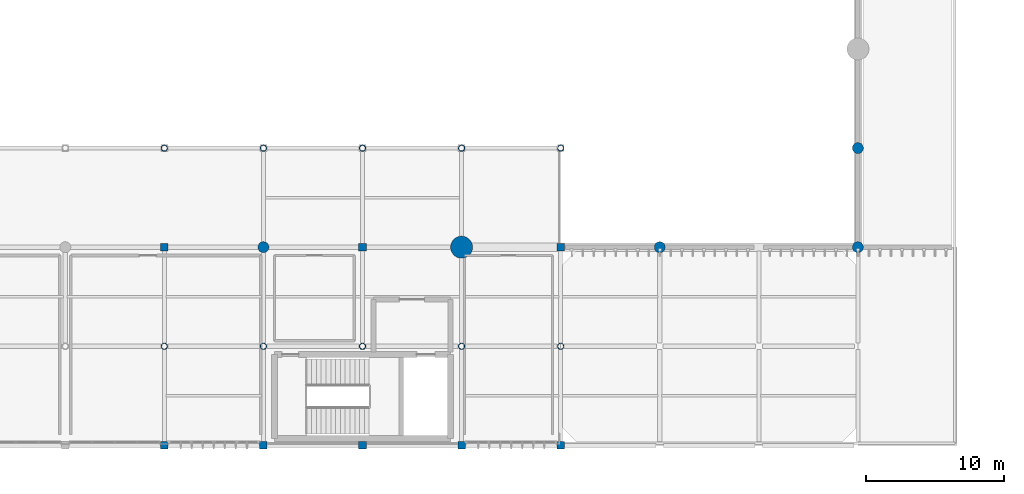
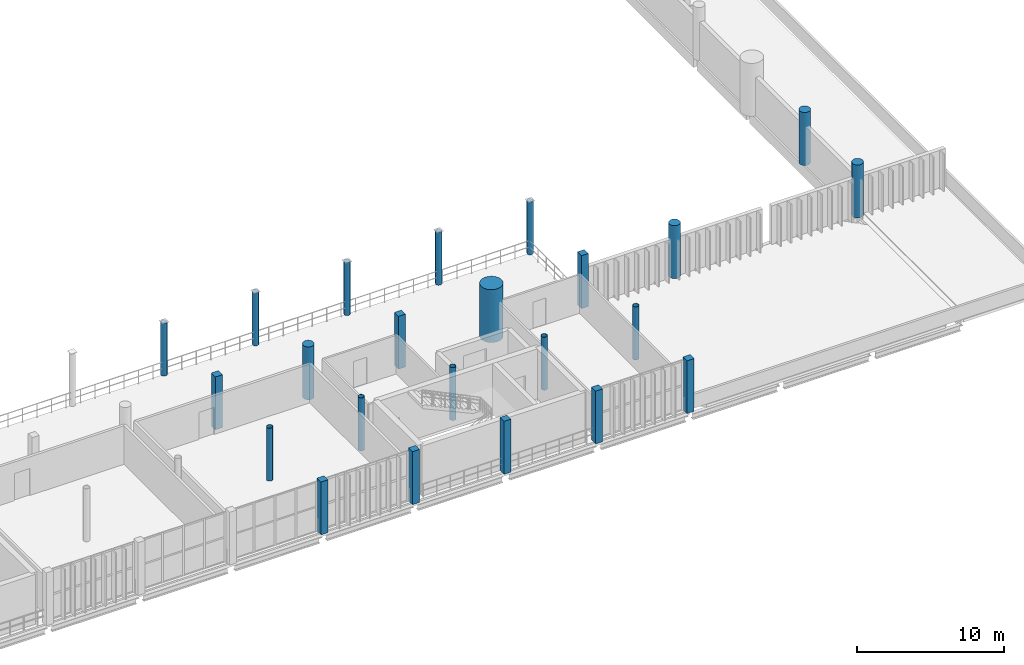
# One storey, part 4 of 81: 23 columns.
"""IFC4 building model written with IfcOpenShell, lengths in metres."""

from ifc_helpers import new_model, si_unit, direction, frame, origin, origin_2d, place, context, subcontext, project, spatial, rectangle, circle, hollow_circle, extrude, material, material_profile, profile_set, type_object, element, save


model = new_model("IFC4")

# Units and contexts
model_context = context("Model", 3, precision=1e-05, world=origin(), true_north=direction((0.0, 1.0)))
body_context = subcontext(model_context, "Body", "Model", "MODEL_VIEW")
ifc_project = project(units=[si_unit("LENGTHUNIT", "METRE"), si_unit("AREAUNIT", "SQUARE_METRE"), si_unit("VOLUMEUNIT", "CUBIC_METRE"), si_unit("PLANEANGLEUNIT", "RADIAN"), si_unit("MASSUNIT", "GRAM", prefix="KILO")], contexts=[model_context])

# Site, building, storey
site_placement = place(None, origin())
site = spatial("IfcSite", under=ifc_project, at=site_placement, CompositionType="ELEMENT")
building_placement = place(site_placement, origin())
building = spatial("IfcBuilding", under=site, at=building_placement, Name="Qandorah Velis Arena", CompositionType="ELEMENT")
storey_placement = place(building_placement, frame((0.0, 0.0, 18.60009765625)))
storey = spatial("IfcBuildingStorey", under=building, at=storey_placement, Name="L04", CompositionType="ELEMENT", Elevation=18.60009765625)

# Columns
ifc_material_1 = material(Name="Steel S355", Category="steel")
ifc_material_profile_1 = material_profile(ifc_material_1, hollow_circle(Radius=0.228515625, WallThickness=0.02001953125, at=origin_2d()), Name="CHS 457x20")
ifc_profile_set_1 = profile_set([ifc_material_profile_1], Name="Steel S355")
column_type_1 = type_object("IfcColumnType", Name="STR-COL-CHS457", PredefinedType="COLUMN", material=ifc_profile_set_1)
for number, where, z_axis, x_axis, name in (
    (1, (64.800048828125, 7.199951171875, 0.0), (0.0, 0.0, 1.0), (1.0, 0.0, 0.0), "Structural column L04-097"),
    (2, (64.800048828125, 21.60009765625, 0.0), (0.0, 0.0, 1.0), (1.0, 0.0, 0.0), "Structural column L04-099"),
    (3, (72.0, 7.199951171875, 0.0), (0.0, 0.0, 1.0), (1.0, 0.0, 0.0), "Structural column L04-105"),
    (4, (72.0, 21.60009765625, 0.0), (0.0, 0.0, 1.0), (1.0, 0.0, 0.0), "Structural column L04-107"),
    (5, (79.199951171875, 7.199951171875, 0.0), (0.0, 0.0, 1.0), (1.0, 0.0, 0.0), "Structural column L04-113"),
    (6, (79.199951171875, 21.60009765625, 0.0), (0.0, 0.0, 1.0), (1.0, 0.0, 0.0), "Structural column L04-115"),
    (7, (86.39990234375, 7.199951171875, 0.0), (0.0, 0.0, 1.0), (1.0, 0.0, 0.0), "Structural column L04-121"),
    (8, (86.39990234375, 21.60009765625, 0.0), (0.0, 0.0, 1.0), (1.0, 0.0, 0.0), "Structural column L04-123"),
    (9, (93.60009765625, 7.199951171875, 0.0), (0.0, 0.0, 1.0), (1.0, 0.0, 0.0), "Structural column L04-129"),
    (10, (93.60009765625, 21.60009765625, 0.0), (0.0, 0.0, 1.0), (1.0, 0.0, 0.0), "Structural column L04-131"),
):
    element("IfcColumn", number, at=place(storey_placement, frame(where, z_axis=z_axis, x_axis=x_axis)), inside=storey, type_object=column_type_1, Name=name, PredefinedType="COLUMN", context=body_context, shape_type="SweptSolid", body=[
        extrude(hollow_circle(Radius=0.228515625, WallThickness=0.02001953125, at=origin_2d()), origin(), (0.0, 0.0, 1.0), 4.39990234375),
    ])
ifc_material_2 = material(Name="Concrete C50/60", Category="concrete")
ifc_material_profile_2 = material_profile(ifc_material_2, circle(Radius=0.800048828125, at=origin_2d()), Name="MC D1600")
ifc_profile_set_2 = profile_set([ifc_material_profile_2], Name="Concrete C50/60")
column_type_2 = type_object("IfcColumnType", Name="STR-COL-MC1600", PredefinedType="COLUMN", material=ifc_profile_set_2)
column_placement = place(storey_placement, frame((86.39990234375, 14.39990234375, 0.0), z_axis=(0.0, 0.0, 1.0), x_axis=(1.0, 0.0, 0.0)))
element("IfcColumn", 11, at=column_placement, inside=storey, type_object=column_type_2, Name="Mega column MC5 (L04)", PredefinedType="COLUMN", context=body_context, shape_type="SweptSolid", body=[
    extrude(circle(Radius=0.800048828125, at=origin_2d()), origin(), (0.0, 0.0, 1.0), 4.39990234375),
])
ifc_material_3 = material(Name="Concrete C40/50", Category="concrete")
ifc_material_profile_3 = material_profile(ifc_material_3, rectangle(XDim=0.550048828125, YDim=0.550048828125, at=origin_2d()), Name="RC COL 550x550")
ifc_profile_set_3 = profile_set([ifc_material_profile_3], Name="Concrete C40/50")
column_type_3 = type_object("IfcColumnType", Name="STR-COL-RC550", PredefinedType="COLUMN", material=ifc_profile_set_3)
for number, where, z_axis, x_axis, name in (
    (12, (64.800048828125, 0.0, 0.0), (0.0, 0.0, 1.0), (1.0, 0.0, 0.0), "Structural column L04-096"),
    (13, (64.800048828125, 14.39990234375, 0.0), (0.0, 0.0, 1.0), (1.0, 0.0, 0.0), "Structural column L04-098"),
    (14, (72.0, 0.0, 0.0), (0.0, 0.0, 1.0), (1.0, 0.0, 0.0), "Structural column L04-104"),
    (15, (79.199951171875, 0.0, 0.0), (0.0, 0.0, 1.0), (1.0, 0.0, 0.0), "Structural column L04-112"),
    (16, (79.199951171875, 14.39990234375, 0.0), (0.0, 0.0, 1.0), (1.0, 0.0, 0.0), "Structural column L04-114"),
    (17, (86.39990234375, 0.0, 0.0), (0.0, 0.0, 1.0), (1.0, 0.0, 0.0), "Structural column L04-120"),
    (18, (93.60009765625, 0.0, 0.0), (0.0, 0.0, 1.0), (1.0, 0.0, 0.0), "Structural column L04-128"),
    (19, (93.60009765625, 14.39990234375, 0.0), (0.0, 0.0, 1.0), (1.0, 0.0, 0.0), "Structural column L04-130"),
):
    element("IfcColumn", number, at=place(storey_placement, frame(where, z_axis=z_axis, x_axis=x_axis)), inside=storey, type_object=column_type_3, Name=name, PredefinedType="COLUMN", context=body_context, shape_type="SweptSolid", body=[
        extrude(rectangle(XDim=0.550048828125, YDim=0.550048828125, at=origin_2d()), origin(), (0.0, 0.0, 1.0), 4.39990234375),
    ])
ifc_material_profile_4 = material_profile(ifc_material_3, circle(Radius=0.39990234375, at=origin_2d()), Name="RC D800")
ifc_profile_set_4 = profile_set([ifc_material_profile_4], Name="Concrete C40/50")
column_type_4 = type_object("IfcColumnType", Name="STR-COL-RCD800", PredefinedType="COLUMN", material=ifc_profile_set_4)
for number, where, z_axis, x_axis, name in (
    (20, (72.0, 14.39990234375, 0.0), (0.0, 0.0, 1.0), (1.0, 0.0, 0.0), "Bowl drum ring column L04-106"),
    (21, (100.800048828125, 14.39990234375, 0.0), (0.0, 0.0, 1.0), (1.0, 0.0, 0.0), "Bowl drum ring column L04-136"),
    (22, (115.199951171875, 14.39990234375, 0.0), (0.0, 0.0, 1.0), (1.0, 0.0, 0.0), "Bowl drum ring column L04-138"),
    (23, (115.199951171875, 21.60009765625, 0.0), (0.0, 0.0, 1.0), (1.0, 0.0, 0.0), "Bowl drum ring column L04-139"),
):
    element("IfcColumn", number, at=place(storey_placement, frame(where, z_axis=z_axis, x_axis=x_axis)), inside=storey, type_object=column_type_4, Name=name, PredefinedType="COLUMN", context=body_context, shape_type="SweptSolid", body=[
        extrude(circle(Radius=0.39990234375, at=origin_2d()), origin(), (0.0, 0.0, 1.0), 4.39990234375),
    ])

save(model, "model.ifc")
